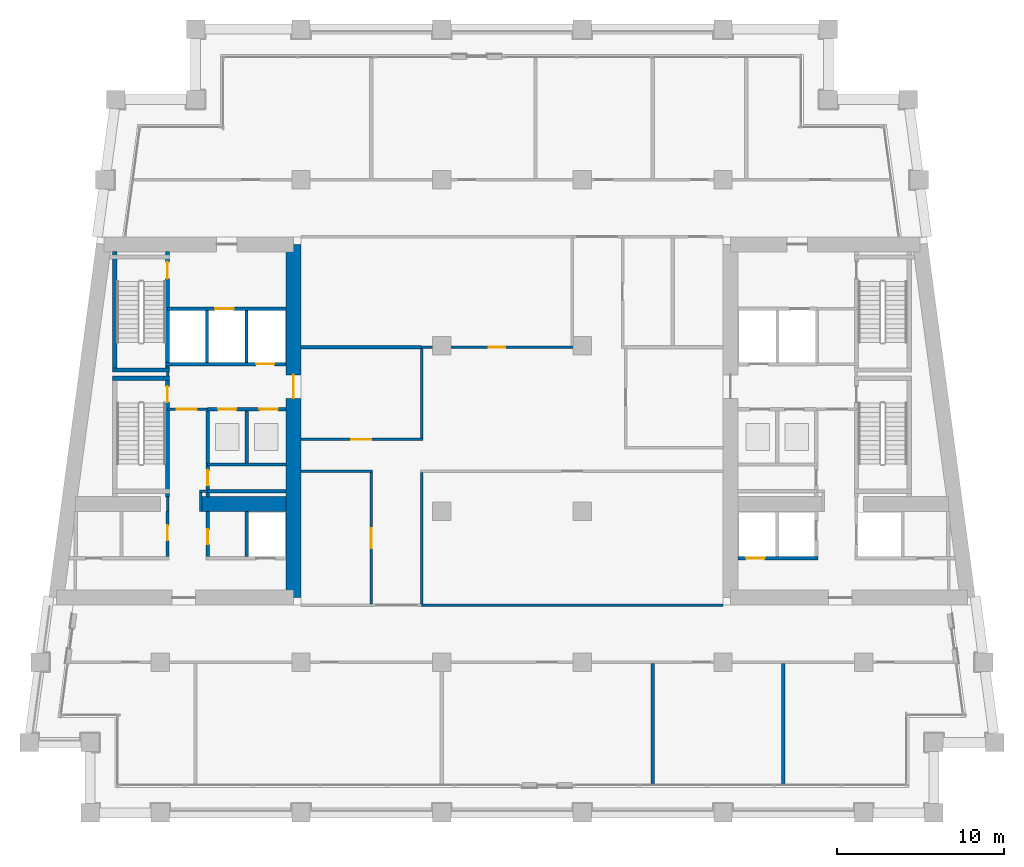
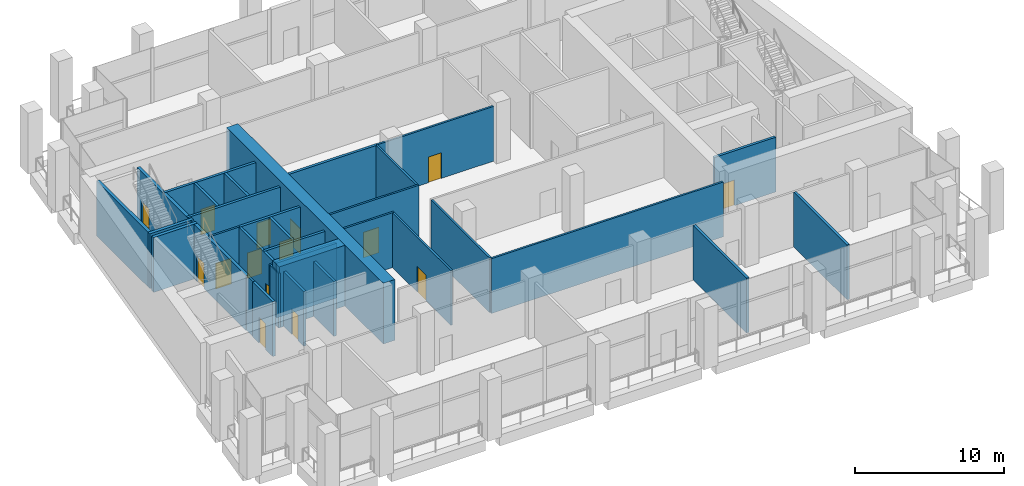
# One storey, part 8 of 16: 35 walls, 15 doors, 15 openings.
"""IFC4 building model written with IfcOpenShell, lengths in metres."""

from ifc_helpers import new_model, si_unit, direction, frame, frame_2d, origin, place, context, subcontext, project, spatial, rectangle, extrude, material, layer, layer_set, type_object, element, fill, save


model = new_model("IFC4")

# Units and contexts
model_context = context("Model", 3, precision=1e-05, world=origin(), true_north=direction((0.0, 1.0)))
body_context = subcontext(model_context, "Body", "Model", "MODEL_VIEW")
ifc_project = project(units=[si_unit("LENGTHUNIT", "METRE"), si_unit("AREAUNIT", "SQUARE_METRE"), si_unit("VOLUMEUNIT", "CUBIC_METRE"), si_unit("PLANEANGLEUNIT", "RADIAN"), si_unit("MASSUNIT", "GRAM", prefix="KILO")], contexts=[model_context])

# Site, building, storey
site_placement = place(None, origin())
site = spatial("IfcSite", under=ifc_project, at=site_placement, CompositionType="ELEMENT")
building_placement = place(site_placement, origin())
building = spatial("IfcBuilding", under=site, at=building_placement, Name="Candeia Pilgrim Tower and Theatre", CompositionType="ELEMENT")
storey_placement = place(building_placement, frame((0.0, 0.0, 192.199951171875)))
storey = spatial("IfcBuildingStorey", under=building, at=storey_placement, Name="L46", CompositionType="ELEMENT", Elevation=192.199951171875)

# Wall, opening, door
ifc_material_1 = material(Name="Concrete C60/75", Category="concrete")
ifc_layer_1 = layer(ifc_material_1, 0.89990234375)
ifc_layer_set_1 = layer_set([ifc_layer_1], Name="Core wall 900 C60/75")
wall_type_1 = type_object("IfcWallType", Name="Core wall 900 C60/75", PredefinedType="SHEAR", material=ifc_layer_set_1)
wall_1_placement = place(storey_placement, frame((100.35009765625, 131.949951171875, 0.0), z_axis=(0.0, 0.0, 1.0), x_axis=(0.0, -1.0, 0.0)))
wall_1 = element("IfcWall", 1, at=wall_1_placement, inside=storey, type_object=wall_type_1, Name="Core wall W2", PredefinedType="SHEAR", context=body_context, shape_type="SweptSolid", body=[
    extrude(rectangle(XDim=21.099853515625, YDim=0.89990234375, at=frame_2d((10.5498046875, 0.0))), origin(), (0.0, 0.0, 1.0), 5.0),
])
opening_1_placement = place(wall_1_placement, frame((7.800048828125, 0.0, 0.0)))
opening_1 = element("IfcOpeningElement", 2, at=opening_1_placement, cuts=wall_1, Name="Opening L46-D034", PredefinedType="OPENING", context=body_context, shape_type="SweptSolid", body=[
    extrude(rectangle(XDim=1.39990234375, YDim=2.10009765625, at=frame_2d((0.699951171875, 1.050048828125))), frame((0.0, 0.4599609375, 0.0), z_axis=(0.0, -1.0, 0.0), x_axis=(1.0, 0.0, 0.0)), (0.0, 0.0, 1.0), 0.919921875),
])
ifc_material_2 = material(Name="Steel fire door set", Category="steel")
door_type_1 = type_object("IfcDoorType", Name="D-1400-FD60", OperationType="NOTDEFINED", PredefinedType="DOOR", material=ifc_material_2)
door_1_placement = place(opening_1_placement, origin())
door_1 = element("IfcDoor", 3, at=door_1_placement, inside=storey, type_object=door_type_1, Name="Door L46-D034", OperationType="SINGLE_SWING_RIGHT", OverallHeight=2.10009765625, OverallWidth=1.39990234375, PredefinedType="DOOR", context=body_context, shape_type="SweptSolid", body=[
    extrude(rectangle(XDim=1.39990234375, YDim=2.10009765625, at=frame_2d((0.699951171875, 1.050048828125))), frame((0.0, 0.02490234375, 0.0), z_axis=(0.0, -1.0, 0.0), x_axis=(1.0, 0.0, 0.0)), (0.0, 0.0, 1.0), 0.050048828125),
])
fill(opening_1, door_1)

# Walls
wall_2_placement = place(storey_placement, frame((94.800048828125, 116.449951171875, 0.0), z_axis=(0.0, 0.0, 1.0), x_axis=(1.0, 0.0, 0.0)))
element("IfcWall", 4, at=wall_2_placement, inside=storey, type_object=wall_type_1, Name="Core wall W6", PredefinedType="SHEAR", context=body_context, shape_type="SweptSolid", body=[
    extrude(rectangle(XDim=5.099853515625, YDim=0.89990234375, at=frame_2d((2.5498046875, 0.0))), origin(), (0.0, 0.0, 1.0), 5.0),
])
ifc_material_3 = material(Name="Gypsum board partition on steel studs", Category="steel")
ifc_layer_2 = layer(ifc_material_3, 0.14990234375)
ifc_layer_set_2 = layer_set([ifc_layer_2], Name="PW-150 lobby wall")
wall_type_2 = type_object("IfcWallType", Name="PW-150 lobby wall", PredefinedType="PARTITIONING", material=ifc_layer_set_2)
wall_3_placement = place(storey_placement, frame((94.72509765625, 117.199951171875, 0.0), z_axis=(0.0, 0.0, 1.0), x_axis=(1.0, 0.0, 0.0)))
element("IfcWall", 5, at=wall_3_placement, inside=storey, type_object=wall_type_2, Name="Lobby wall L46-011", PredefinedType="PARTITIONING", context=body_context, shape_type="SweptSolid", body=[
    extrude(rectangle(XDim=0.501953125, YDim=0.14990234375, at=frame_2d((0.2509765625, 0.0))), origin(), (0.0, 0.0, 1.0), 4.5),
])
wall_4_placement = place(storey_placement, frame((100.800048828125, 118.39990234375, 0.0), z_axis=(0.0, 0.0, 1.0), x_axis=(1.0, 0.0, 0.0)))
element("IfcWall", 6, at=wall_4_placement, inside=storey, type_object=wall_type_2, Name="Lobby wall L46-015", PredefinedType="PARTITIONING", context=body_context, shape_type="SweptSolid", body=[
    extrude(rectangle(XDim=4.27490234375, YDim=0.14990234375, at=frame_2d((2.137451171875, 0.0))), origin(), (0.0, 0.0, 1.0), 4.5),
])

# Wall, opening, door
wall_5_placement = place(storey_placement, frame((100.800048828125, 120.300048828125, 0.0), z_axis=(0.0, 0.0, 1.0), x_axis=(1.0, 0.0, 0.0)))
wall_5 = element("IfcWall", 7, at=wall_5_placement, inside=storey, type_object=wall_type_2, Name="Lobby wall L46-020", PredefinedType="PARTITIONING", context=body_context, shape_type="SweptSolid", body=[
    extrude(rectangle(XDim=7.27490234375, YDim=0.14990234375, at=frame_2d((3.637451171875, 0.0))), origin(), (0.0, 0.0, 1.0), 4.5),
])
opening_2_placement = place(wall_5_placement, frame((3.0, 0.0, 0.0)))
opening_2 = element("IfcOpeningElement", 8, at=opening_2_placement, cuts=wall_5, Name="Opening L46-D001", PredefinedType="OPENING", context=body_context, shape_type="SweptSolid", body=[
    extrude(rectangle(XDim=1.199951171875, YDim=2.10009765625, at=frame_2d((0.60009765625, 1.050048828125))), frame((0.0, 0.0849609375, 0.0), z_axis=(0.0, -1.0, 0.0), x_axis=(1.0, 0.0, 0.0)), (0.0, 0.0, 1.0), 0.169921875),
])
door_type_2 = type_object("IfcDoorType", Name="D-1200-FD30S", OperationType="NOTDEFINED", PredefinedType="DOOR", material=ifc_material_2)
door_2_placement = place(opening_2_placement, origin())
door_2 = element("IfcDoor", 9, at=door_2_placement, inside=storey, type_object=door_type_2, Name="Door L46-D001", OperationType="SINGLE_SWING_LEFT", OverallHeight=2.10009765625, OverallWidth=1.199951171875, PredefinedType="DOOR", context=body_context, shape_type="SweptSolid", body=[
    extrude(rectangle(XDim=1.199951171875, YDim=2.10009765625, at=frame_2d((0.60009765625, 1.050048828125))), frame((0.0, 0.02490234375, 0.0), z_axis=(0.0, -1.0, 0.0), x_axis=(1.0, 0.0, 0.0)), (0.0, 0.0, 1.0), 0.050048828125),
])
fill(opening_2, door_2)

wall_6_placement = place(storey_placement, frame((92.826904296875, 122.10009765625, 0.0), z_axis=(0.0, 0.0, 1.0), x_axis=(1.0, 0.0, 0.0)))
wall_6 = element("IfcWall", 10, at=wall_6_placement, inside=storey, type_object=wall_type_2, Name="Lobby wall L46-023", PredefinedType="PARTITIONING", context=body_context, shape_type="SweptSolid", body=[
    extrude(rectangle(XDim=2.400146484375, YDim=0.14990234375, at=frame_2d((1.2001953125, 0.0))), origin(), (0.0, 0.0, 1.0), 4.5),
])
opening_3_placement = place(wall_6_placement, frame((0.550048828125, 0.0, 0.0)))
opening_3 = element("IfcOpeningElement", 11, at=opening_3_placement, cuts=wall_6, Name="Opening L46-D020", PredefinedType="OPENING", context=body_context, shape_type="SweptSolid", body=[
    extrude(rectangle(XDim=1.199951171875, YDim=2.10009765625, at=frame_2d((0.60009765625, 1.050048828125))), frame((0.0, 0.0849609375, 0.0), z_axis=(0.0, -1.0, 0.0), x_axis=(1.0, 0.0, 0.0)), (0.0, 0.0, 1.0), 0.169921875),
])
door_type_3 = type_object("IfcDoorType", Name="D-1200-FD60", OperationType="NOTDEFINED", PredefinedType="DOOR", material=ifc_material_2)
door_3_placement = place(opening_3_placement, origin())
door_3 = element("IfcDoor", 12, at=door_3_placement, inside=storey, type_object=door_type_3, Name="Door L46-D020", OperationType="SINGLE_SWING_RIGHT", OverallHeight=2.10009765625, OverallWidth=1.199951171875, PredefinedType="DOOR", context=body_context, shape_type="SweptSolid", body=[
    extrude(rectangle(XDim=1.199951171875, YDim=2.10009765625, at=frame_2d((0.60009765625, 1.050048828125))), frame((0.0, 0.02490234375, 0.0), z_axis=(0.0, -1.0, 0.0), x_axis=(1.0, 0.0, 0.0)), (0.0, 0.0, 1.0), 0.050048828125),
])
fill(opening_3, door_3)

wall_7_placement = place(storey_placement, frame((108.0, 125.800048828125, 0.0), z_axis=(0.0, 0.0, 1.0), x_axis=(1.0, 0.0, 0.0)))
wall_7 = element("IfcWall", 13, at=wall_7_placement, inside=storey, type_object=wall_type_2, Name="Lobby wall L46-032", PredefinedType="PARTITIONING", context=body_context, shape_type="SweptSolid", body=[
    extrude(rectangle(XDim=9.074951171875, YDim=0.14990234375, at=frame_2d((4.53759765625, 0.0))), origin(), (0.0, 0.0, 1.0), 4.5),
])
opening_4_placement = place(wall_7_placement, frame((4.0, 0.0, 0.0)))
opening_4 = element("IfcOpeningElement", 14, at=opening_4_placement, cuts=wall_7, Name="Opening L46-D007", PredefinedType="OPENING", context=body_context, shape_type="SweptSolid", body=[
    extrude(rectangle(XDim=1.0, YDim=2.10009765625, at=frame_2d((0.5, 1.050048828125))), frame((0.0, 0.0849609375, 0.0), z_axis=(0.0, -1.0, 0.0), x_axis=(1.0, 0.0, 0.0)), (0.0, 0.0, 1.0), 0.169921875),
])
door_type_4 = type_object("IfcDoorType", Name="D-1000-FD30S", OperationType="NOTDEFINED", PredefinedType="DOOR", material=ifc_material_2)
door_4_placement = place(opening_4_placement, origin())
door_4 = element("IfcDoor", 15, at=door_4_placement, inside=storey, type_object=door_type_4, Name="Door L46-D007", OperationType="SINGLE_SWING_LEFT", OverallHeight=2.10009765625, OverallWidth=1.0, PredefinedType="DOOR", context=body_context, shape_type="SweptSolid", body=[
    extrude(rectangle(XDim=1.0, YDim=2.10009765625, at=frame_2d((0.5, 1.050048828125))), frame((0.0, 0.02490234375, 0.0), z_axis=(0.0, -1.0, 0.0), x_axis=(1.0, 0.0, 0.0)), (0.0, 0.0, 1.0), 0.050048828125),
])
fill(opening_4, door_4)

# Walls
wall_8_placement = place(storey_placement, frame((92.826904296875, 116.0, 0.0), z_axis=(0.0, 0.0, 1.0), x_axis=(0.0, 1.0, 0.0)))
element("IfcWall", 16, at=wall_8_placement, inside=storey, type_object=wall_type_2, Name="Lobby wall L46-051", PredefinedType="PARTITIONING", context=body_context, shape_type="SweptSolid", body=[
    extrude(rectangle(XDim=0.8701171875, YDim=0.14990234375, at=frame_2d((0.43505859375, 0.0))), origin(), (0.0, 0.0, 1.0), 4.5),
])
wall_9_placement = place(storey_placement, frame((92.826904296875, 124.074951171875, 0.0), z_axis=(0.0, 0.0, 1.0), x_axis=(0.0, 1.0, 0.0)))
element("IfcWall", 17, at=wall_9_placement, inside=storey, type_object=wall_type_2, Name="Lobby wall L46-052", PredefinedType="PARTITIONING", context=body_context, shape_type="SweptSolid", body=[
    extrude(rectangle(XDim=0.25, YDim=0.14990234375, at=frame_2d((0.125, 0.0))), origin(), (0.0, 0.0, 1.0), 4.5),
])
wall_10_placement = place(storey_placement, frame((94.800048828125, 116.0, 0.0), z_axis=(0.0, 0.0, 1.0), x_axis=(0.0, 1.0, 0.0)))
element("IfcWall", 18, at=wall_10_placement, inside=storey, type_object=wall_type_2, Name="Lobby wall L46-056", PredefinedType="PARTITIONING", context=body_context, shape_type="SweptSolid", body=[
    extrude(rectangle(XDim=1.125, YDim=0.14990234375, at=frame_2d((0.5625, 0.0))), origin(), (0.0, 0.0, 1.0), 4.5),
])

# Wall, opening, door
wall_11_placement = place(storey_placement, frame((105.0, 110.47509765625, 0.0), z_axis=(0.0, 0.0, 1.0), x_axis=(0.0, 1.0, 0.0)))
wall_11 = element("IfcWall", 19, at=wall_11_placement, inside=storey, type_object=wall_type_2, Name="Lobby wall L46-063", PredefinedType="PARTITIONING", context=body_context, shape_type="SweptSolid", body=[
    extrude(rectangle(XDim=7.849853515625, YDim=0.14990234375, at=frame_2d((3.9248046875, 0.0))), origin(), (0.0, 0.0, 1.0), 4.5),
])
opening_5_placement = place(wall_11_placement, frame((3.324951171875, 0.0, 0.0)))
opening_5 = element("IfcOpeningElement", 20, at=opening_5_placement, cuts=wall_11, Name="Opening L46-D005", PredefinedType="OPENING", context=body_context, shape_type="SweptSolid", body=[
    extrude(rectangle(XDim=1.199951171875, YDim=2.10009765625, at=frame_2d((0.60009765625, 1.050048828125))), frame((0.0, 0.0849609375, 0.0), z_axis=(0.0, -1.0, 0.0), x_axis=(1.0, 0.0, 0.0)), (0.0, 0.0, 1.0), 0.169921875),
])
door_5_placement = place(opening_5_placement, origin())
door_5 = element("IfcDoor", 21, at=door_5_placement, inside=storey, type_object=door_type_2, Name="Door L46-D005", OperationType="SINGLE_SWING_LEFT", OverallHeight=2.10009765625, OverallWidth=1.199951171875, PredefinedType="DOOR", context=body_context, shape_type="SweptSolid", body=[
    extrude(rectangle(XDim=1.199951171875, YDim=2.10009765625, at=frame_2d((0.60009765625, 1.050048828125))), frame((0.0, 0.02490234375, 0.0), z_axis=(0.0, -1.0, 0.0), x_axis=(1.0, 0.0, 0.0)), (0.0, 0.0, 1.0), 0.050048828125),
])
fill(opening_5, door_5)

# Walls
wall_12_placement = place(storey_placement, frame((108.0, 110.47509765625, 0.0), z_axis=(0.0, 0.0, 1.0), x_axis=(0.0, 1.0, 0.0)))
element("IfcWall", 22, at=wall_12_placement, inside=storey, type_object=wall_type_2, Name="Lobby wall L46-065", PredefinedType="PARTITIONING", context=body_context, shape_type="SweptSolid", body=[
    extrude(rectangle(XDim=7.849853515625, YDim=0.14990234375, at=frame_2d((3.9248046875, 0.0))), origin(), (0.0, 0.0, 1.0), 4.5),
])
wall_13_placement = place(storey_placement, frame((108.0, 120.375, 0.0), z_axis=(0.0, 0.0, 1.0), x_axis=(0.0, 1.0, 0.0)))
element("IfcWall", 23, at=wall_13_placement, inside=storey, type_object=wall_type_2, Name="Lobby wall L46-066", PredefinedType="PARTITIONING", context=body_context, shape_type="SweptSolid", body=[
    extrude(rectangle(XDim=5.35009765625, YDim=0.14990234375, at=frame_2d((2.675048828125, 0.0))), origin(), (0.0, 0.0, 1.0), 4.5),
])
ifc_layer_3 = layer(ifc_material_3, 0.14990234375)
ifc_layer_set_3 = layer_set([ifc_layer_3], Name="PW-150 unit wall")
wall_type_3 = type_object("IfcWallType", Name="PW-150 unit wall", PredefinedType="PARTITIONING", material=ifc_layer_set_3)
wall_14_placement = place(storey_placement, frame((108.0, 110.39990234375, 0.0), z_axis=(0.0, 0.0, 1.0), x_axis=(1.0, 0.0, 0.0)))
element("IfcWall", 24, at=wall_14_placement, inside=storey, type_object=wall_type_3, Name="Unit wall L46-004", PredefinedType="PARTITIONING", context=body_context, shape_type="SweptSolid", body=[
    extrude(rectangle(XDim=18.0, YDim=0.14990234375, at=frame_2d((9.0, 0.0))), origin(), (0.0, 0.0, 1.0), 4.5),
])
ifc_layer_4 = layer(ifc_material_3, 0.199951171875)
ifc_layer_set_4 = layer_set([ifc_layer_4], Name="PW-200 party wall")
wall_type_4 = type_object("IfcWallType", Name="PW-200 party wall", PredefinedType="PARTITIONING", material=ifc_layer_set_4)
wall_15_placement = place(storey_placement, frame((100.800048828125, 125.800048828125, 0.0), z_axis=(0.0, 0.0, 1.0), x_axis=(1.0, 0.0, 0.0)))
element("IfcWall", 25, at=wall_15_placement, inside=storey, type_object=wall_type_4, Name="Party wall L46-034", PredefinedType="PARTITIONING", context=body_context, shape_type="SweptSolid", body=[
    extrude(rectangle(XDim=7.199951171875, YDim=0.199951171875, at=frame_2d((3.60009765625, 0.0))), origin(), (0.0, 0.0, 1.0), 4.5),
])
for number, where, z_axis, x_axis, name in (
    (26, (121.800048828125, 99.760009765625, 0.0), (0.0, 0.0, 1.0), (0.0, 1.0, 0.0), "Party wall L46-072"),
    (27, (129.60009765625, 99.760009765625, 0.0), (0.0, 0.0, 1.0), (0.0, 1.0, 0.0), "Party wall L46-079"),
):
    element("IfcWall", number, at=place(storey_placement, frame(where, z_axis=z_axis, x_axis=x_axis)), inside=storey, type_object=wall_type_4, Name=name, PredefinedType="PARTITIONING", context=body_context, shape_type="SweptSolid", body=[
        extrude(rectangle(XDim=7.1650390625, YDim=0.199951171875, at=frame_2d((3.58251953125, 0.0))), origin(), (0.0, 0.0, 1.0), 4.5),
    ])

# Wall, opening, door
ifc_material_4 = material(Name="Concrete C40/50", Category="concrete")
ifc_layer_5 = layer(ifc_material_4, 0.199951171875)
ifc_layer_set_5 = layer_set([ifc_layer_5], Name="SW-200 shaft wall")
wall_type_5 = type_object("IfcWallType", Name="SW-200 shaft wall", PredefinedType="PARTITIONING", material=ifc_layer_set_5)
wall_16_placement = place(storey_placement, frame((126.89990234375, 113.199951171875, 0.0), z_axis=(0.0, 0.0, 1.0), x_axis=(1.0, 0.0, 0.0)))
wall_16 = element("IfcWall", 28, at=wall_16_placement, inside=storey, type_object=wall_type_5, Name="Shaft wall L46-007", PredefinedType="PARTITIONING", context=body_context, shape_type="SweptSolid", body=[
    extrude(rectangle(XDim=4.773193359375, YDim=0.199951171875, at=frame_2d((2.38671875, 0.0))), origin(), (0.0, 0.0, 1.0), 4.5),
])
opening_6_placement = place(wall_16_placement, frame((0.48388671875, 0.0, 0.0)))
opening_6 = element("IfcOpeningElement", 29, at=opening_6_placement, cuts=wall_16, Name="Opening L46-LD12", PredefinedType="OPENING", context=body_context, shape_type="SweptSolid", body=[
    extrude(rectangle(XDim=1.10009765625, YDim=2.10009765625, at=frame_2d((0.550048828125, 1.050048828125))), frame((0.0, 0.10986328125, 0.0), z_axis=(0.0, -1.0, 0.0), x_axis=(1.0, 0.0, 0.0)), (0.0, 0.0, 1.0), 0.219970703125),
])
ifc_material_5 = material(Name="Glazed aluminium landing door", Category="aluminium")
door_type_5 = type_object("IfcDoorType", Name="LD-1100-EI120", OperationType="SLIDING_TO_LEFT", PredefinedType="DOOR", material=ifc_material_5)
door_6_placement = place(opening_6_placement, origin())
door_6 = element("IfcDoor", 30, at=door_6_placement, inside=storey, type_object=door_type_5, Name="Landing door 12 L46", OperationType="SLIDING_TO_LEFT", OverallHeight=2.10009765625, OverallWidth=1.10009765625, PredefinedType="DOOR", context=body_context, shape_type="SweptSolid", body=[
    extrude(rectangle(XDim=1.10009765625, YDim=2.10009765625, at=frame_2d((0.550048828125, 1.050048828125))), frame((0.0, 0.02490234375, 0.0), z_axis=(0.0, -1.0, 0.0), x_axis=(1.0, 0.0, 0.0)), (0.0, 0.0, 1.0), 0.050048828125),
])
fill(opening_6, door_6)

# Walls
for number, where, z_axis, x_axis, name in (
    (31, (95.22705078125, 117.199951171875, 0.0), (0.0, 0.0, 1.0), (1.0, 0.0, 0.0), "Shaft wall L46-009"),
    (32, (95.22705078125, 118.800048828125, 0.0), (0.0, 0.0, 1.0), (1.0, 0.0, 0.0), "Shaft wall L46-017"),
):
    element("IfcWall", number, at=place(storey_placement, frame(where, z_axis=z_axis, x_axis=x_axis)), inside=storey, type_object=wall_type_5, Name=name, PredefinedType="PARTITIONING", context=body_context, shape_type="SweptSolid", body=[
        extrude(rectangle(XDim=4.6728515625, YDim=0.199951171875, at=frame_2d((2.33642578125, 0.0))), origin(), (0.0, 0.0, 1.0), 4.5),
    ])

# Wall, openings, doors
wall_17_placement = place(storey_placement, frame((95.22705078125, 122.10009765625, 0.0), z_axis=(0.0, 0.0, 1.0), x_axis=(1.0, 0.0, 0.0)))
wall_17 = element("IfcWall", 33, at=wall_17_placement, inside=storey, type_object=wall_type_5, Name="Shaft wall L46-021", PredefinedType="PARTITIONING", context=body_context, shape_type="SweptSolid", body=[
    extrude(rectangle(XDim=4.6728515625, YDim=0.199951171875, at=frame_2d((2.33642578125, 0.0))), origin(), (0.0, 0.0, 1.0), 4.5),
])
opening_7_placement = place(wall_17_placement, frame((0.617919921875, 0.0, 0.0)))
opening_7 = element("IfcOpeningElement", 34, at=opening_7_placement, cuts=wall_17, Name="Opening L46-LD01", PredefinedType="OPENING", context=body_context, shape_type="SweptSolid", body=[
    extrude(rectangle(XDim=1.10009765625, YDim=2.10009765625, at=frame_2d((0.550048828125, 1.050048828125))), frame((0.0, 0.10986328125, 0.0), z_axis=(0.0, -1.0, 0.0), x_axis=(1.0, 0.0, 0.0)), (0.0, 0.0, 1.0), 0.219970703125),
])
opening_8_placement = place(wall_17_placement, frame((3.089111328125, 0.0, 0.0)))
opening_8 = element("IfcOpeningElement", 35, at=opening_8_placement, cuts=wall_17, Name="Opening L46-LD02", PredefinedType="OPENING", context=body_context, shape_type="SweptSolid", body=[
    extrude(rectangle(XDim=1.10009765625, YDim=2.10009765625, at=frame_2d((0.550048828125, 1.050048828125))), frame((0.0, 0.10986328125, 0.0), z_axis=(0.0, -1.0, 0.0), x_axis=(1.0, 0.0, 0.0)), (0.0, 0.0, 1.0), 0.219970703125),
])
door_7_placement = place(opening_7_placement, origin())
door_7 = element("IfcDoor", 36, at=door_7_placement, inside=storey, type_object=door_type_5, Name="Landing door 01 L46", OperationType="SLIDING_TO_LEFT", OverallHeight=2.10009765625, OverallWidth=1.10009765625, PredefinedType="DOOR", context=body_context, shape_type="SweptSolid", body=[
    extrude(rectangle(XDim=1.10009765625, YDim=2.10009765625, at=frame_2d((0.550048828125, 1.050048828125))), frame((0.0, 0.02490234375, 0.0), z_axis=(0.0, -1.0, 0.0), x_axis=(1.0, 0.0, 0.0)), (0.0, 0.0, 1.0), 0.050048828125),
])
fill(opening_7, door_7)
door_8_placement = place(opening_8_placement, origin())
door_8 = element("IfcDoor", 37, at=door_8_placement, inside=storey, type_object=door_type_5, Name="Landing door 02 L46", OperationType="SLIDING_TO_LEFT", OverallHeight=2.10009765625, OverallWidth=1.10009765625, PredefinedType="DOOR", context=body_context, shape_type="SweptSolid", body=[
    extrude(rectangle(XDim=1.10009765625, YDim=2.10009765625, at=frame_2d((0.550048828125, 1.050048828125))), frame((0.0, 0.02490234375, 0.0), z_axis=(0.0, -1.0, 0.0), x_axis=(1.0, 0.0, 0.0)), (0.0, 0.0, 1.0), 0.050048828125),
])
fill(opening_8, door_8)

# Wall, opening, door
wall_18_placement = place(storey_placement, frame((92.701904296875, 124.800048828125, 0.0), z_axis=(0.0, 0.0, 1.0), x_axis=(1.0, 0.0, 0.0)))
wall_18 = element("IfcWall", 38, at=wall_18_placement, inside=storey, type_object=wall_type_5, Name="Shaft wall L46-029", PredefinedType="PARTITIONING", context=body_context, shape_type="SweptSolid", body=[
    extrude(rectangle(XDim=7.197998046875, YDim=0.199951171875, at=frame_2d((3.59912109375, 0.0))), origin(), (0.0, 0.0, 1.0), 4.5),
])
opening_9_placement = place(wall_18_placement, frame((5.4130859375, 0.0, 0.0)))
opening_9 = element("IfcOpeningElement", 39, at=opening_9_placement, cuts=wall_18, Name="Opening L46-LD04", PredefinedType="OPENING", context=body_context, shape_type="SweptSolid", body=[
    extrude(rectangle(XDim=1.10009765625, YDim=2.10009765625, at=frame_2d((0.550048828125, 1.050048828125))), frame((0.0, 0.10986328125, 0.0), z_axis=(0.0, -1.0, 0.0), x_axis=(1.0, 0.0, 0.0)), (0.0, 0.0, 1.0), 0.219970703125),
])
door_9_placement = place(opening_9_placement, origin())
door_9 = element("IfcDoor", 40, at=door_9_placement, inside=storey, type_object=door_type_5, Name="Landing door 04 L46", OperationType="SLIDING_TO_LEFT", OverallHeight=2.10009765625, OverallWidth=1.10009765625, PredefinedType="DOOR", context=body_context, shape_type="SweptSolid", body=[
    extrude(rectangle(XDim=1.10009765625, YDim=2.10009765625, at=frame_2d((0.550048828125, 1.050048828125))), frame((0.0, 0.02490234375, 0.0), z_axis=(0.0, -1.0, 0.0), x_axis=(1.0, 0.0, 0.0)), (0.0, 0.0, 1.0), 0.050048828125),
])
fill(opening_9, door_9)

wall_19_placement = place(storey_placement, frame((92.826904296875, 128.10009765625, 0.0), z_axis=(0.0, 0.0, 1.0), x_axis=(1.0, 0.0, 0.0)))
wall_19 = element("IfcWall", 41, at=wall_19_placement, inside=storey, type_object=wall_type_5, Name="Shaft wall L46-036", PredefinedType="PARTITIONING", context=body_context, shape_type="SweptSolid", body=[
    extrude(rectangle(XDim=7.072998046875, YDim=0.199951171875, at=frame_2d((3.53662109375, 0.0))), origin(), (0.0, 0.0, 1.0), 4.5),
])
opening_10_placement = place(wall_19_placement, frame((2.846923828125, 0.0, 0.0)))
opening_10 = element("IfcOpeningElement", 42, at=opening_10_placement, cuts=wall_19, Name="Opening L46-LD03", PredefinedType="OPENING", context=body_context, shape_type="SweptSolid", body=[
    extrude(rectangle(XDim=1.10009765625, YDim=2.10009765625, at=frame_2d((0.550048828125, 1.050048828125))), frame((0.0, 0.10986328125, 0.0), z_axis=(0.0, -1.0, 0.0), x_axis=(1.0, 0.0, 0.0)), (0.0, 0.0, 1.0), 0.219970703125),
])
door_10_placement = place(opening_10_placement, origin())
door_10 = element("IfcDoor", 43, at=door_10_placement, inside=storey, type_object=door_type_5, Name="Landing door 03 L46", OperationType="SLIDING_TO_LEFT", OverallHeight=2.10009765625, OverallWidth=1.10009765625, PredefinedType="DOOR", context=body_context, shape_type="SweptSolid", body=[
    extrude(rectangle(XDim=1.10009765625, YDim=2.10009765625, at=frame_2d((0.550048828125, 1.050048828125))), frame((0.0, 0.02490234375, 0.0), z_axis=(0.0, -1.0, 0.0), x_axis=(1.0, 0.0, 0.0)), (0.0, 0.0, 1.0), 0.050048828125),
])
fill(opening_10, door_10)

wall_20_placement = place(storey_placement, frame((92.826904296875, 113.300048828125, 0.0), z_axis=(0.0, 0.0, 1.0), x_axis=(0.0, 1.0, 0.0)))
wall_20 = element("IfcWall", 44, at=wall_20_placement, inside=storey, type_object=wall_type_5, Name="Shaft wall L46-050", PredefinedType="PARTITIONING", context=body_context, shape_type="SweptSolid", body=[
    extrude(rectangle(XDim=2.699951171875, YDim=0.199951171875, at=frame_2d((1.35009765625, 0.0))), origin(), (0.0, 0.0, 1.0), 4.5),
])
opening_11_placement = place(wall_20_placement, frame((0.969970703125, 0.0, 0.0)))
opening_11 = element("IfcOpeningElement", 45, at=opening_11_placement, cuts=wall_20, Name="Opening L46-D025", PredefinedType="OPENING", context=body_context, shape_type="SweptSolid", body=[
    extrude(rectangle(XDim=0.89990234375, YDim=2.10009765625, at=frame_2d((0.449951171875, 1.050048828125))), frame((0.0, 0.10986328125, 0.0), z_axis=(0.0, -1.0, 0.0), x_axis=(1.0, 0.0, 0.0)), (0.0, 0.0, 1.0), 0.219970703125),
])
door_type_6 = type_object("IfcDoorType", Name="D-900-FD60", OperationType="NOTDEFINED", PredefinedType="DOOR", material=ifc_material_2)
door_11_placement = place(opening_11_placement, origin())
door_11 = element("IfcDoor", 46, at=door_11_placement, inside=storey, type_object=door_type_6, Name="Door L46-D025", OperationType="SINGLE_SWING_RIGHT", OverallHeight=2.10009765625, OverallWidth=0.89990234375, PredefinedType="DOOR", context=body_context, shape_type="SweptSolid", body=[
    extrude(rectangle(XDim=0.89990234375, YDim=2.10009765625, at=frame_2d((0.449951171875, 1.050048828125))), frame((0.0, 0.02490234375, 0.0), z_axis=(0.0, -1.0, 0.0), x_axis=(1.0, 0.0, 0.0)), (0.0, 0.0, 1.0), 0.050048828125),
])
fill(opening_11, door_11)

# Wall
wall_21_placement = place(storey_placement, frame((95.184814453125, 124.89990234375, 0.0), z_axis=(0.0, 0.0, 1.0), x_axis=(0.0, 1.0, 0.0)))
element("IfcWall", 47, at=wall_21_placement, inside=storey, type_object=wall_type_5, Name="Shaft wall L46-057", PredefinedType="PARTITIONING", context=body_context, shape_type="SweptSolid", body=[
    extrude(rectangle(XDim=3.10009765625, YDim=0.199951171875, at=frame_2d((1.550048828125, 0.0))), origin(), (0.0, 0.0, 1.0), 4.5),
])

# Wall, opening, door
wall_22_placement = place(storey_placement, frame((95.22705078125, 113.300048828125, 0.0), z_axis=(0.0, 0.0, 1.0), x_axis=(0.0, 1.0, 0.0)))
wall_22 = element("IfcWall", 48, at=wall_22_placement, inside=storey, type_object=wall_type_5, Name="Shaft wall L46-058", PredefinedType="PARTITIONING", context=body_context, shape_type="SweptSolid", body=[
    extrude(rectangle(XDim=2.699951171875, YDim=0.199951171875, at=frame_2d((1.35009765625, 0.0))), origin(), (0.0, 0.0, 1.0), 4.5),
])
opening_12_placement = place(wall_22_placement, frame((0.72998046875, 0.0, 0.0)))
opening_12 = element("IfcOpeningElement", 49, at=opening_12_placement, cuts=wall_22, Name="Opening L46-D026", PredefinedType="OPENING", context=body_context, shape_type="SweptSolid", body=[
    extrude(rectangle(XDim=0.89990234375, YDim=2.10009765625, at=frame_2d((0.449951171875, 1.050048828125))), frame((0.0, 0.10986328125, 0.0), z_axis=(0.0, -1.0, 0.0), x_axis=(1.0, 0.0, 0.0)), (0.0, 0.0, 1.0), 0.219970703125),
])
door_12_placement = place(opening_12_placement, origin())
door_12 = element("IfcDoor", 50, at=door_12_placement, inside=storey, type_object=door_type_6, Name="Door L46-D026", OperationType="SINGLE_SWING_LEFT", OverallHeight=2.10009765625, OverallWidth=0.89990234375, PredefinedType="DOOR", context=body_context, shape_type="SweptSolid", body=[
    extrude(rectangle(XDim=0.89990234375, YDim=2.10009765625, at=frame_2d((0.449951171875, 1.050048828125))), frame((0.0, 0.02490234375, 0.0), z_axis=(0.0, -1.0, 0.0), x_axis=(1.0, 0.0, 0.0)), (0.0, 0.0, 1.0), 0.050048828125),
])
fill(opening_12, door_12)

wall_23_placement = place(storey_placement, frame((95.22705078125, 116.8701171875, 0.0), z_axis=(0.0, 0.0, 1.0), x_axis=(0.0, 1.0, 0.0)))
wall_23 = element("IfcWall", 51, at=wall_23_placement, inside=storey, type_object=wall_type_5, Name="Shaft wall L46-059", PredefinedType="PARTITIONING", context=body_context, shape_type="SweptSolid", body=[
    extrude(rectangle(XDim=5.1298828125, YDim=0.199951171875, at=frame_2d((2.56494140625, 0.0))), origin(), (0.0, 0.0, 1.0), 4.5),
])
opening_13_placement = place(wall_23_placement, frame((0.679931640625, 0.0, 0.0)))
opening_13 = element("IfcOpeningElement", 52, at=opening_13_placement, cuts=wall_23, Name="Opening L46-D023", PredefinedType="OPENING", context=body_context, shape_type="SweptSolid", body=[
    extrude(rectangle(XDim=0.89990234375, YDim=2.10009765625, at=frame_2d((0.449951171875, 1.050048828125))), frame((0.0, 0.10986328125, 0.0), z_axis=(0.0, -1.0, 0.0), x_axis=(1.0, 0.0, 0.0)), (0.0, 0.0, 1.0), 0.219970703125),
])
door_13_placement = place(opening_13_placement, origin())
door_13 = element("IfcDoor", 53, at=door_13_placement, inside=storey, type_object=door_type_6, Name="Door L46-D023", OperationType="SINGLE_SWING_LEFT", OverallHeight=2.10009765625, OverallWidth=0.89990234375, PredefinedType="DOOR", context=body_context, shape_type="SweptSolid", body=[
    extrude(rectangle(XDim=0.89990234375, YDim=2.10009765625, at=frame_2d((0.449951171875, 1.050048828125))), frame((0.0, 0.02490234375, 0.0), z_axis=(0.0, -1.0, 0.0), x_axis=(1.0, 0.0, 0.0)), (0.0, 0.0, 1.0), 0.050048828125),
])
fill(opening_13, door_13)

# Walls
wall_24_placement = place(storey_placement, frame((97.542236328125, 124.89990234375, 0.0), z_axis=(0.0, 0.0, 1.0), x_axis=(0.0, 1.0, 0.0)))
element("IfcWall", 54, at=wall_24_placement, inside=storey, type_object=wall_type_5, Name="Shaft wall L46-060", PredefinedType="PARTITIONING", context=body_context, shape_type="SweptSolid", body=[
    extrude(rectangle(XDim=3.10009765625, YDim=0.199951171875, at=frame_2d((1.550048828125, 0.0))), origin(), (0.0, 0.0, 1.0), 4.5),
])
wall_25_placement = place(storey_placement, frame((97.5634765625, 113.300048828125, 0.0), z_axis=(0.0, 0.0, 1.0), x_axis=(0.0, 1.0, 0.0)))
element("IfcWall", 55, at=wall_25_placement, inside=storey, type_object=wall_type_5, Name="Shaft wall L46-061", PredefinedType="PARTITIONING", context=body_context, shape_type="SweptSolid", body=[
    extrude(rectangle(XDim=2.699951171875, YDim=0.199951171875, at=frame_2d((1.35009765625, 0.0))), origin(), (0.0, 0.0, 1.0), 4.5),
])
wall_26_placement = place(storey_placement, frame((97.5634765625, 118.89990234375, 0.0), z_axis=(0.0, 0.0, 1.0), x_axis=(0.0, 1.0, 0.0)))
element("IfcWall", 56, at=wall_26_placement, inside=storey, type_object=wall_type_5, Name="Shaft wall L46-062", PredefinedType="PARTITIONING", context=body_context, shape_type="SweptSolid", body=[
    extrude(rectangle(XDim=3.10009765625, YDim=0.199951171875, at=frame_2d((1.550048828125, 0.0))), origin(), (0.0, 0.0, 1.0), 4.5),
])
ifc_layer_6 = layer(ifc_material_4, 0.25)
ifc_layer_set_6 = layer_set([ifc_layer_6], Name="SW-250 stair wall")
wall_type_6 = type_object("IfcWallType", Name="SW-250 stair wall", PredefinedType="PARTITIONING", material=ifc_layer_set_6)
for number, where, z_axis, x_axis, name in (
    (57, (89.552001953125, 123.949951171875, 0.0), (0.0, 0.0, 1.0), (1.0, 0.0, 0.0), "Stair wall L46-025"),
    (58, (89.552001953125, 124.449951171875, 0.0), (0.0, 0.0, 1.0), (1.0, 0.0, 0.0), "Stair wall L46-027"),
):
    element("IfcWall", number, at=place(storey_placement, frame(where, z_axis=z_axis, x_axis=x_axis)), inside=storey, type_object=wall_type_6, Name=name, PredefinedType="PARTITIONING", context=body_context, shape_type="SweptSolid", body=[
        extrude(rectangle(XDim=3.39990234375, YDim=0.25, at=frame_2d((1.699951171875, 0.0))), origin(), (0.0, 0.0, 1.0), 4.5),
    ])
wall_27_placement = place(storey_placement, frame((89.677001953125, 124.574951171875, 0.0), z_axis=(0.0, 0.0, 1.0), x_axis=(0.0, 1.0, 0.0)))
element("IfcWall", 59, at=wall_27_placement, inside=storey, type_object=wall_type_6, Name="Stair wall L46-048", PredefinedType="PARTITIONING", context=body_context, shape_type="SweptSolid", body=[
    extrude(rectangle(XDim=6.955078125, YDim=0.25, at=frame_2d((3.4775390625, 0.0))), origin(), (0.0, 0.0, 1.0), 4.5),
])

# Wall, opening, door
wall_28_placement = place(storey_placement, frame((92.826904296875, 116.8701171875, 0.0), z_axis=(0.0, 0.0, 1.0), x_axis=(0.0, 1.0, 0.0)))
wall_28 = element("IfcWall", 60, at=wall_28_placement, inside=storey, type_object=wall_type_6, Name="Stair wall L46-053", PredefinedType="PARTITIONING", context=body_context, shape_type="SweptSolid", body=[
    extrude(rectangle(XDim=6.954833984375, YDim=0.25, at=frame_2d((3.4775390625, 0.0))), origin(), (0.0, 0.0, 1.0), 4.5),
])
opening_14_placement = place(wall_28_placement, frame((5.655029296875, 0.0, 0.0)))
opening_14 = element("IfcOpeningElement", 61, at=opening_14_placement, cuts=wall_28, Name="Opening L46-D021", PredefinedType="OPENING", context=body_context, shape_type="SweptSolid", body=[
    extrude(rectangle(XDim=0.949951171875, YDim=2.10009765625, at=frame_2d((0.47509765625, 1.050048828125))), frame((0.0, 0.135009765625, 0.0), z_axis=(0.0, -1.0, 0.0), x_axis=(1.0, 0.0, 0.0)), (0.0, 0.0, 1.0), 0.27001953125),
])
door_type_7 = type_object("IfcDoorType", Name="D-950-FD60", OperationType="NOTDEFINED", PredefinedType="DOOR", material=ifc_material_2)
door_14_placement = place(opening_14_placement, origin())
door_14 = element("IfcDoor", 62, at=door_14_placement, inside=storey, type_object=door_type_7, Name="Door L46-D021", OperationType="SINGLE_SWING_LEFT", OverallHeight=2.10009765625, OverallWidth=0.949951171875, PredefinedType="DOOR", context=body_context, shape_type="SweptSolid", body=[
    extrude(rectangle(XDim=0.949951171875, YDim=2.10009765625, at=frame_2d((0.47509765625, 1.050048828125))), frame((0.0, 0.02490234375, 0.0), z_axis=(0.0, -1.0, 0.0), x_axis=(1.0, 0.0, 0.0)), (0.0, 0.0, 1.0), 0.050048828125),
])
fill(opening_14, door_14)

wall_29_placement = place(storey_placement, frame((92.826904296875, 124.574951171875, 0.0), z_axis=(0.0, 0.0, 1.0), x_axis=(0.0, 1.0, 0.0)))
wall_29 = element("IfcWall", 63, at=wall_29_placement, inside=storey, type_object=wall_type_6, Name="Stair wall L46-054", PredefinedType="PARTITIONING", context=body_context, shape_type="SweptSolid", body=[
    extrude(rectangle(XDim=6.955078125, YDim=0.25, at=frame_2d((3.4775390625, 0.0))), origin(), (0.0, 0.0, 1.0), 4.5),
])
opening_15_placement = place(wall_29_placement, frame((5.324951171875, 0.0, 0.0)))
opening_15 = element("IfcOpeningElement", 64, at=opening_15_placement, cuts=wall_29, Name="Opening L46-D022", PredefinedType="OPENING", context=body_context, shape_type="SweptSolid", body=[
    extrude(rectangle(XDim=1.0, YDim=2.10009765625, at=frame_2d((0.5, 1.050048828125))), frame((0.0, 0.135009765625, 0.0), z_axis=(0.0, -1.0, 0.0), x_axis=(1.0, 0.0, 0.0)), (0.0, 0.0, 1.0), 0.27001953125),
])
door_type_8 = type_object("IfcDoorType", Name="D-1000-FD60", OperationType="NOTDEFINED", PredefinedType="DOOR", material=ifc_material_2)
door_15_placement = place(opening_15_placement, origin())
door_15 = element("IfcDoor", 65, at=door_15_placement, inside=storey, type_object=door_type_8, Name="Door L46-D022", OperationType="SINGLE_SWING_RIGHT", OverallHeight=2.10009765625, OverallWidth=1.0, PredefinedType="DOOR", context=body_context, shape_type="SweptSolid", body=[
    extrude(rectangle(XDim=1.0, YDim=2.10009765625, at=frame_2d((0.5, 1.050048828125))), frame((0.0, 0.02490234375, 0.0), z_axis=(0.0, -1.0, 0.0), x_axis=(1.0, 0.0, 0.0)), (0.0, 0.0, 1.0), 0.050048828125),
])
fill(opening_15, door_15)

save(model, "model.ifc")
